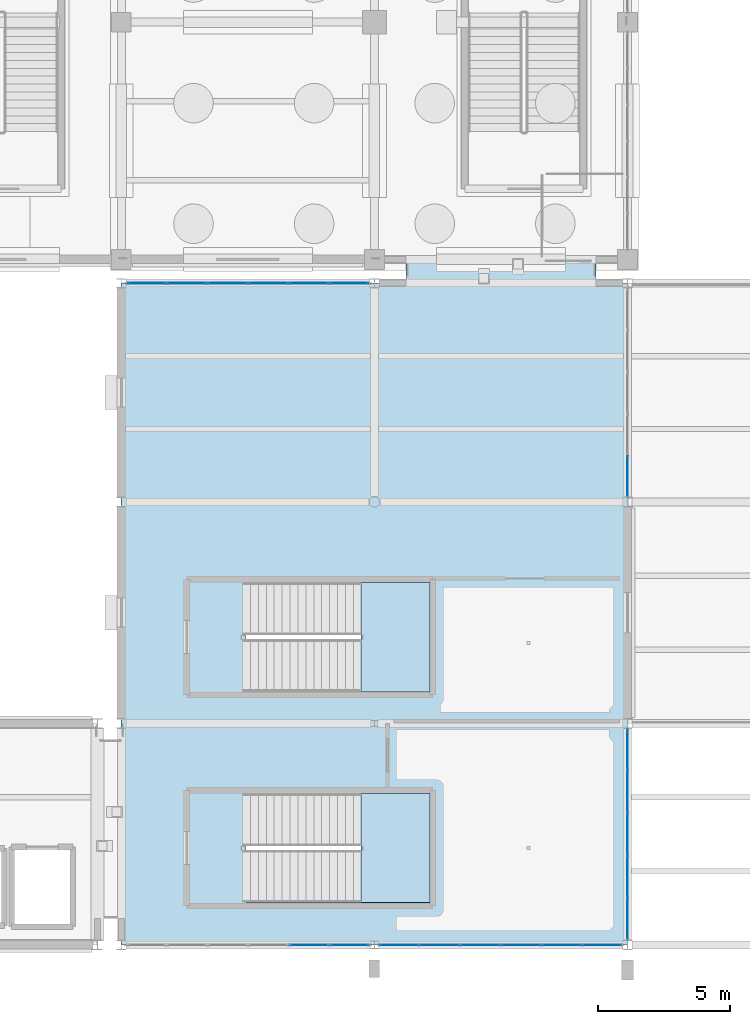
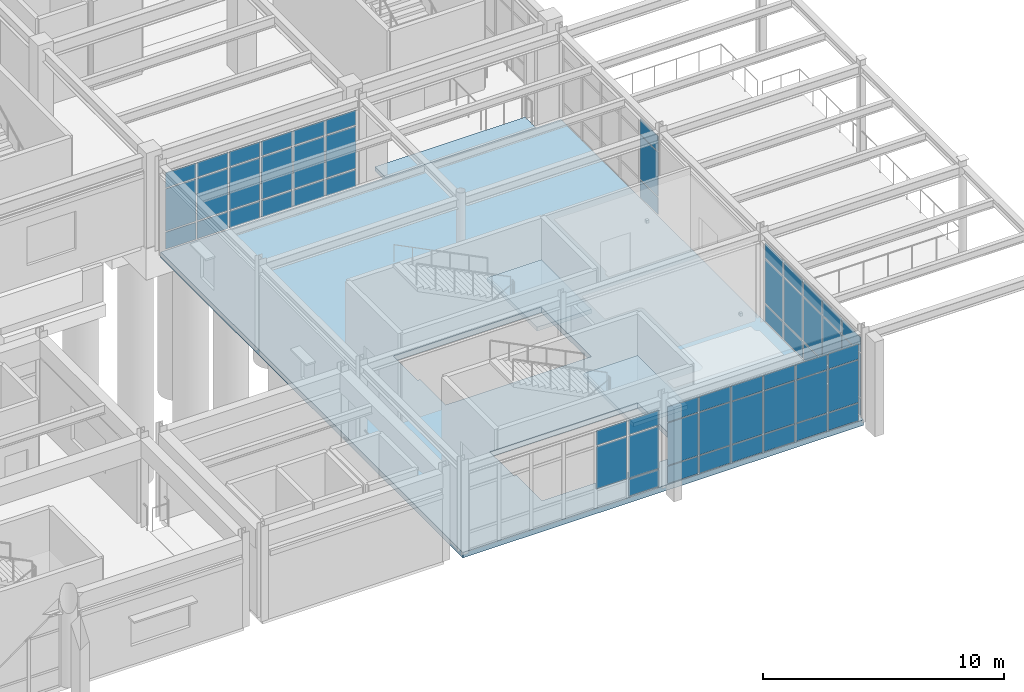
# One storey, part 93 of 139: 59 plates, 4 slabs, 7 elements without a shape of their own.
"""IFC4 building model written with IfcOpenShell, lengths in metres."""

from ifc_helpers import new_model, si_unit, direction, frame, origin, origin_2d, place, context, subcontext, project, spatial, polyline, rectangle, outline, extrude, material, layer, layer_set, type_object, element, aggregate, save


model = new_model("IFC4")

# Units and contexts
model_context = context("Model", 3, precision=1e-05, world=origin(), true_north=direction((0.0, 1.0)))
body_context = subcontext(model_context, "Body", "Model", "MODEL_VIEW")
ifc_project = project(units=[si_unit("LENGTHUNIT", "METRE"), si_unit("AREAUNIT", "SQUARE_METRE"), si_unit("VOLUMEUNIT", "CUBIC_METRE"), si_unit("PLANEANGLEUNIT", "RADIAN"), si_unit("MASSUNIT", "GRAM", prefix="KILO")], contexts=[model_context])

# Site, building, storey
site_placement = place(None, origin())
site = spatial("IfcSite", under=ifc_project, at=site_placement, CompositionType="ELEMENT")
building_placement = place(site_placement, origin())
building = spatial("IfcBuilding", under=site, at=building_placement, Name="Canglan Escarpment Cableway Terminal", CompositionType="ELEMENT")
storey_placement = place(building_placement, frame((0.0, 0.0, 14.39990234375)))
storey = spatial("IfcBuildingStorey", under=building, at=storey_placement, Name="L03", CompositionType="ELEMENT", Elevation=14.39990234375)

# Curtain wall, plates
ifc_material_1 = material(Name="Anodized bronze aluminium and Low-E double glazing", Category="aluminium")
curtain_wall_type_1 = type_object("IfcCurtainWallType", Name="CW-BAY-9275x4000", PredefinedType="NOTDEFINED", material=ifc_material_1)
curtain_wall_1_placement = place(storey_placement, origin())
curtain_wall_1 = element("IfcCurtainWall", 1, at=curtain_wall_1_placement, inside=storey, type_object=curtain_wall_type_1, Name="Classical bay-between-piers glazed curtain wall CW-29", PredefinedType="NOTDEFINED")
ifc_material_2 = material(Name="Double-silver Low-E laminated insulating glass", Category="glass")
ifc_layer_1 = layer(ifc_material_2, 0.02392578125, Name="Double-silver Low-E laminated insulating glass")
ifc_layer_set_1 = layer_set([ifc_layer_1], Name="Double-silver Low-E laminated insulating glass")
plate_type_1 = type_object("IfcPlateType", Name="CWP-01", PredefinedType="CURTAIN_PANEL", material=ifc_layer_set_1)
plate_1_placement = place(storey_placement, frame((154.331298828125, 8.0, 0.982421875), z_axis=(0.0, 0.0, 1.0), x_axis=(1.0, 0.0, 0.0)))
plate_1 = element("IfcPlate", 2, at=plate_1_placement, type_object=plate_type_1, Name="CW-29 panel 5.2", PredefinedType="CURTAIN_PANEL", context=body_context, shape_type="SweptSolid", body=[
    extrude(rectangle(XDim=1.480712890625, YDim=0.02392578125, at=origin_2d()), origin(), (0.0, 0.0, 1.0), 2.132080078125),
])
plate_2_placement = place(storey_placement, frame((154.331298828125, 8.0, 3.1796875), z_axis=(0.0, 0.0, 1.0), x_axis=(1.0, 0.0, 0.0)))
plate_2 = element("IfcPlate", 3, at=plate_2_placement, type_object=plate_type_1, Name="CW-29 panel 5.3", PredefinedType="CURTAIN_PANEL", context=body_context, shape_type="SweptSolid", body=[
    extrude(rectangle(XDim=1.480712890625, YDim=0.02392578125, at=origin_2d()), origin(), (0.0, 0.0, 1.0), 0.75244140625),
])
plate_3_placement = place(storey_placement, frame((155.86083984375, 8.0, 0.065185546875), z_axis=(0.0, 0.0, 1.0), x_axis=(1.0, 0.0, 0.0)))
plate_3 = element("IfcPlate", 4, at=plate_3_placement, type_object=plate_type_1, Name="CW-29 panel 6.1", PredefinedType="CURTAIN_PANEL", context=body_context, shape_type="SweptSolid", body=[
    extrude(rectangle(XDim=1.4482421875, YDim=0.02392578125, at=origin_2d()), origin(), (0.0, 0.0, 1.0), 0.8525390625),
])
plate_4_placement = place(storey_placement, frame((155.86083984375, 8.0, 0.982421875), z_axis=(0.0, 0.0, 1.0), x_axis=(1.0, 0.0, 0.0)))
plate_4 = element("IfcPlate", 5, at=plate_4_placement, type_object=plate_type_1, Name="CW-29 panel 6.2", PredefinedType="CURTAIN_PANEL", context=body_context, shape_type="SweptSolid", body=[
    extrude(rectangle(XDim=1.4482421875, YDim=0.02392578125, at=origin_2d()), origin(), (0.0, 0.0, 1.0), 2.132080078125),
])
plate_5_placement = place(storey_placement, frame((155.86083984375, 8.0, 3.1796875), z_axis=(0.0, 0.0, 1.0), x_axis=(1.0, 0.0, 0.0)))
plate_5 = element("IfcPlate", 6, at=plate_5_placement, type_object=plate_type_1, Name="CW-29 panel 6.3", PredefinedType="CURTAIN_PANEL", context=body_context, shape_type="SweptSolid", body=[
    extrude(rectangle(XDim=1.4482421875, YDim=0.02392578125, at=origin_2d()), origin(), (0.0, 0.0, 1.0), 0.75244140625),
])
aggregate(curtain_wall_1, [plate_1, plate_2, plate_3, plate_4, plate_5])

curtain_wall_type_2 = type_object("IfcCurtainWallType", Name="CW-BAY-8050x4100", PredefinedType="NOTDEFINED", material=ifc_material_1)
curtain_wall_2_placement = place(storey_placement, origin())
curtain_wall_2 = element("IfcCurtainWall", 7, at=curtain_wall_2_placement, inside=storey, type_object=curtain_wall_type_2, Name="Classical bay-between-piers glazed curtain wall CW-30", PredefinedType="NOTDEFINED")
plate_6_placement = place(storey_placement, frame((166.39990234375, 8.996337890625, 0.065185546875), z_axis=(0.0, 0.0, 1.0), x_axis=(0.0, 1.0, 0.0)))
plate_6 = element("IfcPlate", 8, at=plate_6_placement, type_object=plate_type_1, Name="CW-30 panel 1.1", PredefinedType="CURTAIN_PANEL", context=body_context, shape_type="SweptSolid", body=[
    extrude(rectangle(XDim=1.512451171875, YDim=0.02392578125, at=origin_2d()), origin(), (0.0, 0.0, 1.0), 0.8525390625),
])
plate_7_placement = place(storey_placement, frame((166.39990234375, 8.996337890625, 0.982666015625), z_axis=(0.0, 0.0, 1.0), x_axis=(0.0, 1.0, 0.0)))
plate_7 = element("IfcPlate", 9, at=plate_7_placement, type_object=plate_type_1, Name="CW-30 panel 1.2", PredefinedType="CURTAIN_PANEL", context=body_context, shape_type="SweptSolid", body=[
    extrude(rectangle(XDim=1.512451171875, YDim=0.02392578125, at=origin_2d()), origin(), (0.0, 0.0, 1.0), 2.22998046875),
])
plate_8_placement = place(storey_placement, frame((166.39990234375, 8.996337890625, 3.277587890625), z_axis=(0.0, 0.0, 1.0), x_axis=(0.0, 1.0, 0.0)))
plate_8 = element("IfcPlate", 10, at=plate_8_placement, type_object=plate_type_1, Name="CW-30 panel 1.3", PredefinedType="CURTAIN_PANEL", context=body_context, shape_type="SweptSolid", body=[
    extrude(rectangle(XDim=1.512451171875, YDim=0.02392578125, at=origin_2d()), origin(), (0.0, 0.0, 1.0), 0.75244140625),
])
plate_9_placement = place(storey_placement, frame((166.39990234375, 10.590087890625, 0.065185546875), z_axis=(0.0, 0.0, 1.0), x_axis=(0.0, 1.0, 0.0)))
plate_9 = element("IfcPlate", 11, at=plate_9_placement, type_object=plate_type_1, Name="CW-30 panel 2.1", PredefinedType="CURTAIN_PANEL", context=body_context, shape_type="SweptSolid", body=[
    extrude(rectangle(XDim=1.544921875, YDim=0.02392578125, at=origin_2d()), origin(), (0.0, 0.0, 1.0), 0.8525390625),
])
plate_10_placement = place(storey_placement, frame((166.39990234375, 10.590087890625, 0.982666015625), z_axis=(0.0, 0.0, 1.0), x_axis=(0.0, 1.0, 0.0)))
plate_10 = element("IfcPlate", 12, at=plate_10_placement, type_object=plate_type_1, Name="CW-30 panel 2.2", PredefinedType="CURTAIN_PANEL", context=body_context, shape_type="SweptSolid", body=[
    extrude(rectangle(XDim=1.544921875, YDim=0.02392578125, at=origin_2d()), origin(), (0.0, 0.0, 1.0), 2.22998046875),
])
plate_11_placement = place(storey_placement, frame((166.39990234375, 10.590087890625, 3.277587890625), z_axis=(0.0, 0.0, 1.0), x_axis=(0.0, 1.0, 0.0)))
plate_11 = element("IfcPlate", 13, at=plate_11_placement, type_object=plate_type_1, Name="CW-30 panel 2.3", PredefinedType="CURTAIN_PANEL", context=body_context, shape_type="SweptSolid", body=[
    extrude(rectangle(XDim=1.544921875, YDim=0.02392578125, at=origin_2d()), origin(), (0.0, 0.0, 1.0), 0.75244140625),
])
plate_12_placement = place(storey_placement, frame((166.39990234375, 12.199951171875, 0.065185546875), z_axis=(0.0, 0.0, 1.0), x_axis=(0.0, 1.0, 0.0)))
plate_12 = element("IfcPlate", 14, at=plate_12_placement, type_object=plate_type_1, Name="CW-30 panel 3.1", PredefinedType="CURTAIN_PANEL", context=body_context, shape_type="SweptSolid", body=[
    extrude(rectangle(XDim=1.544921875, YDim=0.02392578125, at=origin_2d()), origin(), (0.0, 0.0, 1.0), 0.8525390625),
])
plate_13_placement = place(storey_placement, frame((166.39990234375, 12.199951171875, 0.982666015625), z_axis=(0.0, 0.0, 1.0), x_axis=(0.0, 1.0, 0.0)))
plate_13 = element("IfcPlate", 15, at=plate_13_placement, type_object=plate_type_1, Name="CW-30 panel 3.2", PredefinedType="CURTAIN_PANEL", context=body_context, shape_type="SweptSolid", body=[
    extrude(rectangle(XDim=1.544921875, YDim=0.02392578125, at=origin_2d()), origin(), (0.0, 0.0, 1.0), 2.22998046875),
])
plate_14_placement = place(storey_placement, frame((166.39990234375, 12.199951171875, 3.277587890625), z_axis=(0.0, 0.0, 1.0), x_axis=(0.0, 1.0, 0.0)))
plate_14 = element("IfcPlate", 16, at=plate_14_placement, type_object=plate_type_1, Name="CW-30 panel 3.3", PredefinedType="CURTAIN_PANEL", context=body_context, shape_type="SweptSolid", body=[
    extrude(rectangle(XDim=1.544921875, YDim=0.02392578125, at=origin_2d()), origin(), (0.0, 0.0, 1.0), 0.75244140625),
])
plate_15_placement = place(storey_placement, frame((166.39990234375, 13.81005859375, 0.065185546875), z_axis=(0.0, 0.0, 1.0), x_axis=(0.0, 1.0, 0.0)))
plate_15 = element("IfcPlate", 17, at=plate_15_placement, type_object=plate_type_1, Name="CW-30 panel 4.1", PredefinedType="CURTAIN_PANEL", context=body_context, shape_type="SweptSolid", body=[
    extrude(rectangle(XDim=1.544921875, YDim=0.02392578125, at=origin_2d()), origin(), (0.0, 0.0, 1.0), 0.8525390625),
])
plate_16_placement = place(storey_placement, frame((166.39990234375, 13.81005859375, 0.982666015625), z_axis=(0.0, 0.0, 1.0), x_axis=(0.0, 1.0, 0.0)))
plate_16 = element("IfcPlate", 18, at=plate_16_placement, type_object=plate_type_1, Name="CW-30 panel 4.2", PredefinedType="CURTAIN_PANEL", context=body_context, shape_type="SweptSolid", body=[
    extrude(rectangle(XDim=1.544921875, YDim=0.02392578125, at=origin_2d()), origin(), (0.0, 0.0, 1.0), 2.22998046875),
])
plate_17_placement = place(storey_placement, frame((166.39990234375, 13.81005859375, 3.277587890625), z_axis=(0.0, 0.0, 1.0), x_axis=(0.0, 1.0, 0.0)))
plate_17 = element("IfcPlate", 19, at=plate_17_placement, type_object=plate_type_1, Name="CW-30 panel 4.3", PredefinedType="CURTAIN_PANEL", context=body_context, shape_type="SweptSolid", body=[
    extrude(rectangle(XDim=1.544921875, YDim=0.02392578125, at=origin_2d()), origin(), (0.0, 0.0, 1.0), 0.75244140625),
])
plate_18_placement = place(storey_placement, frame((166.39990234375, 15.40380859375, 0.065185546875), z_axis=(0.0, 0.0, 1.0), x_axis=(0.0, 1.0, 0.0)))
plate_18 = element("IfcPlate", 20, at=plate_18_placement, type_object=plate_type_1, Name="CW-30 panel 5.1", PredefinedType="CURTAIN_PANEL", context=body_context, shape_type="SweptSolid", body=[
    extrude(rectangle(XDim=1.512451171875, YDim=0.02392578125, at=origin_2d()), origin(), (0.0, 0.0, 1.0), 0.8525390625),
])
plate_19_placement = place(storey_placement, frame((166.39990234375, 15.40380859375, 0.982666015625), z_axis=(0.0, 0.0, 1.0), x_axis=(0.0, 1.0, 0.0)))
plate_19 = element("IfcPlate", 21, at=plate_19_placement, type_object=plate_type_1, Name="CW-30 panel 5.2", PredefinedType="CURTAIN_PANEL", context=body_context, shape_type="SweptSolid", body=[
    extrude(rectangle(XDim=1.512451171875, YDim=0.02392578125, at=origin_2d()), origin(), (0.0, 0.0, 1.0), 2.22998046875),
])
plate_20_placement = place(storey_placement, frame((166.39990234375, 15.40380859375, 3.277587890625), z_axis=(0.0, 0.0, 1.0), x_axis=(0.0, 1.0, 0.0)))
plate_20 = element("IfcPlate", 22, at=plate_20_placement, type_object=plate_type_1, Name="CW-30 panel 5.3", PredefinedType="CURTAIN_PANEL", context=body_context, shape_type="SweptSolid", body=[
    extrude(rectangle(XDim=1.512451171875, YDim=0.02392578125, at=origin_2d()), origin(), (0.0, 0.0, 1.0), 0.75244140625),
])
aggregate(curtain_wall_2, [plate_6, plate_7, plate_8, plate_9, plate_10, plate_11, plate_12, plate_13, plate_14, plate_15, plate_16, plate_17, plate_18, plate_19, plate_20])

curtain_wall_type_3 = type_object("IfcCurtainWallType", Name="CW-BAY-9250x4000", PredefinedType="NOTDEFINED", material=ifc_material_1)
curtain_wall_3_placement = place(storey_placement, origin())
curtain_wall_3 = element("IfcCurtainWall", 23, at=curtain_wall_3_placement, inside=storey, type_object=curtain_wall_type_3, Name="Classical bay-between-piers glazed curtain wall CW-32", PredefinedType="NOTDEFINED")
plate_21_placement = place(storey_placement, frame((155.837890625, 33.10009765625, 0.065185546875), z_axis=(0.0, 0.0, 1.0), x_axis=(-1.0, 0.0, 0.0)))
plate_21 = element("IfcPlate", 24, at=plate_21_placement, type_object=plate_type_1, Name="CW-32 panel 1.1", PredefinedType="CURTAIN_PANEL", context=body_context, shape_type="SweptSolid", body=[
    extrude(rectangle(XDim=1.444091796875, YDim=0.02392578125, at=origin_2d()), origin(), (0.0, 0.0, 1.0), 0.8525390625),
])
plate_22_placement = place(storey_placement, frame((155.837890625, 33.10009765625, 0.982421875), z_axis=(0.0, 0.0, 1.0), x_axis=(-1.0, 0.0, 0.0)))
plate_22 = element("IfcPlate", 25, at=plate_22_placement, type_object=plate_type_1, Name="CW-32 panel 1.2", PredefinedType="CURTAIN_PANEL", context=body_context, shape_type="SweptSolid", body=[
    extrude(rectangle(XDim=1.444091796875, YDim=0.02392578125, at=origin_2d()), origin(), (0.0, 0.0, 1.0), 2.132080078125),
])
plate_23_placement = place(storey_placement, frame((155.837890625, 33.10009765625, 3.1796875), z_axis=(0.0, 0.0, 1.0), x_axis=(-1.0, 0.0, 0.0)))
plate_23 = element("IfcPlate", 26, at=plate_23_placement, type_object=plate_type_1, Name="CW-32 panel 1.3", PredefinedType="CURTAIN_PANEL", context=body_context, shape_type="SweptSolid", body=[
    extrude(rectangle(XDim=1.444091796875, YDim=0.02392578125, at=origin_2d()), origin(), (0.0, 0.0, 1.0), 0.75244140625),
])
plate_24_placement = place(storey_placement, frame((154.3125, 33.10009765625, 0.065185546875), z_axis=(0.0, 0.0, 1.0), x_axis=(-1.0, 0.0, 0.0)))
plate_24 = element("IfcPlate", 27, at=plate_24_placement, type_object=plate_type_1, Name="CW-32 panel 2.1", PredefinedType="CURTAIN_PANEL", context=body_context, shape_type="SweptSolid", body=[
    extrude(rectangle(XDim=1.4765625, YDim=0.02392578125, at=origin_2d()), origin(), (0.0, 0.0, 1.0), 0.8525390625),
])
plate_25_placement = place(storey_placement, frame((154.3125, 33.10009765625, 0.982421875), z_axis=(0.0, 0.0, 1.0), x_axis=(-1.0, 0.0, 0.0)))
plate_25 = element("IfcPlate", 28, at=plate_25_placement, type_object=plate_type_1, Name="CW-32 panel 2.2", PredefinedType="CURTAIN_PANEL", context=body_context, shape_type="SweptSolid", body=[
    extrude(rectangle(XDim=1.4765625, YDim=0.02392578125, at=origin_2d()), origin(), (0.0, 0.0, 1.0), 2.132080078125),
])
plate_26_placement = place(storey_placement, frame((154.3125, 33.10009765625, 3.1796875), z_axis=(0.0, 0.0, 1.0), x_axis=(-1.0, 0.0, 0.0)))
plate_26 = element("IfcPlate", 29, at=plate_26_placement, type_object=plate_type_1, Name="CW-32 panel 2.3", PredefinedType="CURTAIN_PANEL", context=body_context, shape_type="SweptSolid", body=[
    extrude(rectangle(XDim=1.4765625, YDim=0.02392578125, at=origin_2d()), origin(), (0.0, 0.0, 1.0), 0.75244140625),
])
plate_27_placement = place(storey_placement, frame((152.770751953125, 33.10009765625, 0.065185546875), z_axis=(0.0, 0.0, 1.0), x_axis=(-1.0, 0.0, 0.0)))
plate_27 = element("IfcPlate", 30, at=plate_27_placement, type_object=plate_type_1, Name="CW-32 panel 3.1", PredefinedType="CURTAIN_PANEL", context=body_context, shape_type="SweptSolid", body=[
    extrude(rectangle(XDim=1.4765625, YDim=0.02392578125, at=origin_2d()), origin(), (0.0, 0.0, 1.0), 0.8525390625),
])
plate_28_placement = place(storey_placement, frame((152.770751953125, 33.10009765625, 0.982421875), z_axis=(0.0, 0.0, 1.0), x_axis=(-1.0, 0.0, 0.0)))
plate_28 = element("IfcPlate", 31, at=plate_28_placement, type_object=plate_type_1, Name="CW-32 panel 3.2", PredefinedType="CURTAIN_PANEL", context=body_context, shape_type="SweptSolid", body=[
    extrude(rectangle(XDim=1.4765625, YDim=0.02392578125, at=origin_2d()), origin(), (0.0, 0.0, 1.0), 2.132080078125),
])
plate_29_placement = place(storey_placement, frame((152.770751953125, 33.10009765625, 3.1796875), z_axis=(0.0, 0.0, 1.0), x_axis=(-1.0, 0.0, 0.0)))
plate_29 = element("IfcPlate", 32, at=plate_29_placement, type_object=plate_type_1, Name="CW-32 panel 3.3", PredefinedType="CURTAIN_PANEL", context=body_context, shape_type="SweptSolid", body=[
    extrude(rectangle(XDim=1.4765625, YDim=0.02392578125, at=origin_2d()), origin(), (0.0, 0.0, 1.0), 0.75244140625),
])
plate_30_placement = place(storey_placement, frame((151.229248046875, 33.10009765625, 0.065185546875), z_axis=(0.0, 0.0, 1.0), x_axis=(-1.0, 0.0, 0.0)))
plate_30 = element("IfcPlate", 33, at=plate_30_placement, type_object=plate_type_1, Name="CW-32 panel 4.1", PredefinedType="CURTAIN_PANEL", context=body_context, shape_type="SweptSolid", body=[
    extrude(rectangle(XDim=1.4765625, YDim=0.02392578125, at=origin_2d()), origin(), (0.0, 0.0, 1.0), 0.8525390625),
])
plate_31_placement = place(storey_placement, frame((151.229248046875, 33.10009765625, 0.982421875), z_axis=(0.0, 0.0, 1.0), x_axis=(-1.0, 0.0, 0.0)))
plate_31 = element("IfcPlate", 34, at=plate_31_placement, type_object=plate_type_1, Name="CW-32 panel 4.2", PredefinedType="CURTAIN_PANEL", context=body_context, shape_type="SweptSolid", body=[
    extrude(rectangle(XDim=1.4765625, YDim=0.02392578125, at=origin_2d()), origin(), (0.0, 0.0, 1.0), 2.132080078125),
])
plate_32_placement = place(storey_placement, frame((151.229248046875, 33.10009765625, 3.1796875), z_axis=(0.0, 0.0, 1.0), x_axis=(-1.0, 0.0, 0.0)))
plate_32 = element("IfcPlate", 35, at=plate_32_placement, type_object=plate_type_1, Name="CW-32 panel 4.3", PredefinedType="CURTAIN_PANEL", context=body_context, shape_type="SweptSolid", body=[
    extrude(rectangle(XDim=1.4765625, YDim=0.02392578125, at=origin_2d()), origin(), (0.0, 0.0, 1.0), 0.75244140625),
])
plate_33_placement = place(storey_placement, frame((149.6875, 33.10009765625, 0.065185546875), z_axis=(0.0, 0.0, 1.0), x_axis=(-1.0, 0.0, 0.0)))
plate_33 = element("IfcPlate", 36, at=plate_33_placement, type_object=plate_type_1, Name="CW-32 panel 5.1", PredefinedType="CURTAIN_PANEL", context=body_context, shape_type="SweptSolid", body=[
    extrude(rectangle(XDim=1.4765625, YDim=0.02392578125, at=origin_2d()), origin(), (0.0, 0.0, 1.0), 0.8525390625),
])
plate_34_placement = place(storey_placement, frame((149.6875, 33.10009765625, 0.982421875), z_axis=(0.0, 0.0, 1.0), x_axis=(-1.0, 0.0, 0.0)))
plate_34 = element("IfcPlate", 37, at=plate_34_placement, type_object=plate_type_1, Name="CW-32 panel 5.2", PredefinedType="CURTAIN_PANEL", context=body_context, shape_type="SweptSolid", body=[
    extrude(rectangle(XDim=1.4765625, YDim=0.02392578125, at=origin_2d()), origin(), (0.0, 0.0, 1.0), 2.132080078125),
])
plate_35_placement = place(storey_placement, frame((149.6875, 33.10009765625, 3.1796875), z_axis=(0.0, 0.0, 1.0), x_axis=(-1.0, 0.0, 0.0)))
plate_35 = element("IfcPlate", 38, at=plate_35_placement, type_object=plate_type_1, Name="CW-32 panel 5.3", PredefinedType="CURTAIN_PANEL", context=body_context, shape_type="SweptSolid", body=[
    extrude(rectangle(XDim=1.4765625, YDim=0.02392578125, at=origin_2d()), origin(), (0.0, 0.0, 1.0), 0.75244140625),
])
plate_36_placement = place(storey_placement, frame((148.162109375, 33.10009765625, 0.065185546875), z_axis=(0.0, 0.0, 1.0), x_axis=(-1.0, 0.0, 0.0)))
plate_36 = element("IfcPlate", 39, at=plate_36_placement, type_object=plate_type_1, Name="CW-32 panel 6.1", PredefinedType="CURTAIN_PANEL", context=body_context, shape_type="SweptSolid", body=[
    extrude(rectangle(XDim=1.444091796875, YDim=0.02392578125, at=origin_2d()), origin(), (0.0, 0.0, 1.0), 0.8525390625),
])
plate_37_placement = place(storey_placement, frame((148.162109375, 33.10009765625, 0.982421875), z_axis=(0.0, 0.0, 1.0), x_axis=(-1.0, 0.0, 0.0)))
plate_37 = element("IfcPlate", 40, at=plate_37_placement, type_object=plate_type_1, Name="CW-32 panel 6.2", PredefinedType="CURTAIN_PANEL", context=body_context, shape_type="SweptSolid", body=[
    extrude(rectangle(XDim=1.444091796875, YDim=0.02392578125, at=origin_2d()), origin(), (0.0, 0.0, 1.0), 2.132080078125),
])
plate_38_placement = place(storey_placement, frame((148.162109375, 33.10009765625, 3.1796875), z_axis=(0.0, 0.0, 1.0), x_axis=(-1.0, 0.0, 0.0)))
plate_38 = element("IfcPlate", 41, at=plate_38_placement, type_object=plate_type_1, Name="CW-32 panel 6.3", PredefinedType="CURTAIN_PANEL", context=body_context, shape_type="SweptSolid", body=[
    extrude(rectangle(XDim=1.444091796875, YDim=0.02392578125, at=origin_2d()), origin(), (0.0, 0.0, 1.0), 0.75244140625),
])
aggregate(curtain_wall_3, [plate_21, plate_22, plate_23, plate_24, plate_25, plate_26, plate_27, plate_28, plate_29, plate_30, plate_31, plate_32, plate_33, plate_34, plate_35, plate_36, plate_37, plate_38])

curtain_wall_4_placement = place(storey_placement, origin())
curtain_wall_4 = element("IfcCurtainWall", 42, at=curtain_wall_4_placement, inside=storey, type_object=curtain_wall_type_1, Name="Classical bay-between-piers glazed curtain wall CW-29", PredefinedType="NOTDEFINED")
ifc_layer_2 = layer(ifc_material_2, 0.028076171875, Name="Double-silver Low-E laminated insulating glass")
ifc_layer_set_2 = layer_set([ifc_layer_2], Name="Double-silver Low-E laminated insulating glass")
plate_type_2 = type_object("IfcPlateType", Name="CWP-02", PredefinedType="CURTAIN_PANEL", material=ifc_layer_set_2)
plate_39_placement = place(storey_placement, frame((157.738037109375, 8.0, 0.05517578125), z_axis=(0.0, 0.0, 1.0), x_axis=(1.0, 0.0, 0.0)))
plate_39 = element("IfcPlate", 43, at=plate_39_placement, type_object=plate_type_2, Name="CW-29 panel 1.1", PredefinedType="CURTAIN_PANEL", context=body_context, shape_type="SweptSolid", body=[
    extrude(rectangle(XDim=1.455810546875, YDim=0.028076171875, at=origin_2d()), origin(), (0.0, 0.0, 1.0), 0.867431640625),
])
plate_40_placement = place(storey_placement, frame((157.738037109375, 8.0, 0.9775390625), z_axis=(0.0, 0.0, 1.0), x_axis=(1.0, 0.0, 0.0)))
plate_40 = element("IfcPlate", 44, at=plate_40_placement, type_object=plate_type_2, Name="CW-29 panel 1.2", PredefinedType="CURTAIN_PANEL", context=body_context, shape_type="SweptSolid", body=[
    extrude(rectangle(XDim=1.455810546875, YDim=0.028076171875, at=origin_2d()), origin(), (0.0, 0.0, 1.0), 2.14208984375),
])
plate_41_placement = place(storey_placement, frame((157.738037109375, 8.0, 3.174560546875), z_axis=(0.0, 0.0, 1.0), x_axis=(1.0, 0.0, 0.0)))
plate_41 = element("IfcPlate", 45, at=plate_41_placement, type_object=plate_type_2, Name="CW-29 panel 1.3", PredefinedType="CURTAIN_PANEL", context=body_context, shape_type="SweptSolid", body=[
    extrude(rectangle(XDim=1.455810546875, YDim=0.028076171875, at=origin_2d()), origin(), (0.0, 0.0, 1.0), 0.767578125),
])
plate_42_placement = place(storey_placement, frame((159.268798828125, 8.0, 0.05517578125), z_axis=(0.0, 0.0, 1.0), x_axis=(1.0, 0.0, 0.0)))
plate_42 = element("IfcPlate", 46, at=plate_42_placement, type_object=plate_type_2, Name="CW-29 panel 2.1", PredefinedType="CURTAIN_PANEL", context=body_context, shape_type="SweptSolid", body=[
    extrude(rectangle(XDim=1.48583984375, YDim=0.028076171875, at=origin_2d()), origin(), (0.0, 0.0, 1.0), 0.867431640625),
])
plate_43_placement = place(storey_placement, frame((159.268798828125, 8.0, 0.9775390625), z_axis=(0.0, 0.0, 1.0), x_axis=(1.0, 0.0, 0.0)))
plate_43 = element("IfcPlate", 47, at=plate_43_placement, type_object=plate_type_2, Name="CW-29 panel 2.2", PredefinedType="CURTAIN_PANEL", context=body_context, shape_type="SweptSolid", body=[
    extrude(rectangle(XDim=1.48583984375, YDim=0.028076171875, at=origin_2d()), origin(), (0.0, 0.0, 1.0), 2.14208984375),
])
plate_44_placement = place(storey_placement, frame((159.268798828125, 8.0, 3.174560546875), z_axis=(0.0, 0.0, 1.0), x_axis=(1.0, 0.0, 0.0)))
plate_44 = element("IfcPlate", 48, at=plate_44_placement, type_object=plate_type_2, Name="CW-29 panel 2.3", PredefinedType="CURTAIN_PANEL", context=body_context, shape_type="SweptSolid", body=[
    extrude(rectangle(XDim=1.48583984375, YDim=0.028076171875, at=origin_2d()), origin(), (0.0, 0.0, 1.0), 0.767578125),
])
plate_45_placement = place(storey_placement, frame((160.814697265625, 8.0, 0.05517578125), z_axis=(0.0, 0.0, 1.0), x_axis=(1.0, 0.0, 0.0)))
plate_45 = element("IfcPlate", 49, at=plate_45_placement, type_object=plate_type_2, Name="CW-29 panel 3.1", PredefinedType="CURTAIN_PANEL", context=body_context, shape_type="SweptSolid", body=[
    extrude(rectangle(XDim=1.48583984375, YDim=0.028076171875, at=origin_2d()), origin(), (0.0, 0.0, 1.0), 0.867431640625),
])
plate_46_placement = place(storey_placement, frame((160.814697265625, 8.0, 0.9775390625), z_axis=(0.0, 0.0, 1.0), x_axis=(1.0, 0.0, 0.0)))
plate_46 = element("IfcPlate", 50, at=plate_46_placement, type_object=plate_type_2, Name="CW-29 panel 3.2", PredefinedType="CURTAIN_PANEL", context=body_context, shape_type="SweptSolid", body=[
    extrude(rectangle(XDim=1.48583984375, YDim=0.028076171875, at=origin_2d()), origin(), (0.0, 0.0, 1.0), 2.14208984375),
])
plate_47_placement = place(storey_placement, frame((160.814697265625, 8.0, 3.174560546875), z_axis=(0.0, 0.0, 1.0), x_axis=(1.0, 0.0, 0.0)))
plate_47 = element("IfcPlate", 51, at=plate_47_placement, type_object=plate_type_2, Name="CW-29 panel 3.3", PredefinedType="CURTAIN_PANEL", context=body_context, shape_type="SweptSolid", body=[
    extrude(rectangle(XDim=1.48583984375, YDim=0.028076171875, at=origin_2d()), origin(), (0.0, 0.0, 1.0), 0.767578125),
])
plate_48_placement = place(storey_placement, frame((162.3603515625, 8.0, 0.05517578125), z_axis=(0.0, 0.0, 1.0), x_axis=(1.0, 0.0, 0.0)))
plate_48 = element("IfcPlate", 52, at=plate_48_placement, type_object=plate_type_2, Name="CW-29 panel 4.1", PredefinedType="CURTAIN_PANEL", context=body_context, shape_type="SweptSolid", body=[
    extrude(rectangle(XDim=1.48583984375, YDim=0.028076171875, at=origin_2d()), origin(), (0.0, 0.0, 1.0), 0.867431640625),
])
plate_49_placement = place(storey_placement, frame((162.3603515625, 8.0, 0.9775390625), z_axis=(0.0, 0.0, 1.0), x_axis=(1.0, 0.0, 0.0)))
plate_49 = element("IfcPlate", 53, at=plate_49_placement, type_object=plate_type_2, Name="CW-29 panel 4.2", PredefinedType="CURTAIN_PANEL", context=body_context, shape_type="SweptSolid", body=[
    extrude(rectangle(XDim=1.48583984375, YDim=0.028076171875, at=origin_2d()), origin(), (0.0, 0.0, 1.0), 2.14208984375),
])
plate_50_placement = place(storey_placement, frame((162.3603515625, 8.0, 3.174560546875), z_axis=(0.0, 0.0, 1.0), x_axis=(1.0, 0.0, 0.0)))
plate_50 = element("IfcPlate", 54, at=plate_50_placement, type_object=plate_type_2, Name="CW-29 panel 4.3", PredefinedType="CURTAIN_PANEL", context=body_context, shape_type="SweptSolid", body=[
    extrude(rectangle(XDim=1.48583984375, YDim=0.028076171875, at=origin_2d()), origin(), (0.0, 0.0, 1.0), 0.767578125),
])
plate_51_placement = place(storey_placement, frame((163.90625, 8.0, 0.05517578125), z_axis=(0.0, 0.0, 1.0), x_axis=(1.0, 0.0, 0.0)))
plate_51 = element("IfcPlate", 55, at=plate_51_placement, type_object=plate_type_2, Name="CW-29 panel 5.1", PredefinedType="CURTAIN_PANEL", context=body_context, shape_type="SweptSolid", body=[
    extrude(rectangle(XDim=1.48583984375, YDim=0.028076171875, at=origin_2d()), origin(), (0.0, 0.0, 1.0), 0.867431640625),
])
plate_52_placement = place(storey_placement, frame((163.90625, 8.0, 0.9775390625), z_axis=(0.0, 0.0, 1.0), x_axis=(1.0, 0.0, 0.0)))
plate_52 = element("IfcPlate", 56, at=plate_52_placement, type_object=plate_type_2, Name="CW-29 panel 5.2", PredefinedType="CURTAIN_PANEL", context=body_context, shape_type="SweptSolid", body=[
    extrude(rectangle(XDim=1.48583984375, YDim=0.028076171875, at=origin_2d()), origin(), (0.0, 0.0, 1.0), 2.14208984375),
])
plate_53_placement = place(storey_placement, frame((163.90625, 8.0, 3.174560546875), z_axis=(0.0, 0.0, 1.0), x_axis=(1.0, 0.0, 0.0)))
plate_53 = element("IfcPlate", 57, at=plate_53_placement, type_object=plate_type_2, Name="CW-29 panel 5.3", PredefinedType="CURTAIN_PANEL", context=body_context, shape_type="SweptSolid", body=[
    extrude(rectangle(XDim=1.48583984375, YDim=0.028076171875, at=origin_2d()), origin(), (0.0, 0.0, 1.0), 0.767578125),
])
plate_54_placement = place(storey_placement, frame((165.43701171875, 8.0, 0.05517578125), z_axis=(0.0, 0.0, 1.0), x_axis=(1.0, 0.0, 0.0)))
plate_54 = element("IfcPlate", 58, at=plate_54_placement, type_object=plate_type_2, Name="CW-29 panel 6.1", PredefinedType="CURTAIN_PANEL", context=body_context, shape_type="SweptSolid", body=[
    extrude(rectangle(XDim=1.455810546875, YDim=0.028076171875, at=origin_2d()), origin(), (0.0, 0.0, 1.0), 0.867431640625),
])
plate_55_placement = place(storey_placement, frame((165.43701171875, 8.0, 0.9775390625), z_axis=(0.0, 0.0, 1.0), x_axis=(1.0, 0.0, 0.0)))
plate_55 = element("IfcPlate", 59, at=plate_55_placement, type_object=plate_type_2, Name="CW-29 panel 6.2", PredefinedType="CURTAIN_PANEL", context=body_context, shape_type="SweptSolid", body=[
    extrude(rectangle(XDim=1.455810546875, YDim=0.028076171875, at=origin_2d()), origin(), (0.0, 0.0, 1.0), 2.14208984375),
])
plate_56_placement = place(storey_placement, frame((165.43701171875, 8.0, 3.174560546875), z_axis=(0.0, 0.0, 1.0), x_axis=(1.0, 0.0, 0.0)))
plate_56 = element("IfcPlate", 60, at=plate_56_placement, type_object=plate_type_2, Name="CW-29 panel 6.3", PredefinedType="CURTAIN_PANEL", context=body_context, shape_type="SweptSolid", body=[
    extrude(rectangle(XDim=1.455810546875, YDim=0.028076171875, at=origin_2d()), origin(), (0.0, 0.0, 1.0), 0.767578125),
])
aggregate(curtain_wall_4, [plate_39, plate_40, plate_41, plate_42, plate_43, plate_44, plate_45, plate_46, plate_47, plate_48, plate_49, plate_50, plate_51, plate_52, plate_53, plate_54, plate_55, plate_56])

curtain_wall_type_4 = type_object("IfcCurtainWallType", Name="CW-BAY-7950x4100", PredefinedType="NOTDEFINED", material=ifc_material_1)
curtain_wall_5_placement = place(storey_placement, origin())
curtain_wall_5 = element("IfcCurtainWall", 61, at=curtain_wall_5_placement, inside=storey, type_object=curtain_wall_type_4, Name="Classical bay-between-piers glazed curtain wall CW-31", PredefinedType="NOTDEFINED")
ifc_layer_3 = layer(ifc_material_2, 0.031982421875, Name="Double-silver Low-E laminated insulating glass")
ifc_layer_set_3 = layer_set([ifc_layer_3], Name="Double-silver Low-E laminated insulating glass")
plate_type_3 = type_object("IfcPlateType", Name="CWP-03", PredefinedType="CURTAIN_PANEL", material=ifc_layer_set_3)
plate_57_placement = place(storey_placement, frame((166.39990234375, 25.7861328125, 0.06005859375), z_axis=(0.0, 0.0, 1.0), x_axis=(0.0, 1.0, 0.0)))
plate_57 = element("IfcPlate", 62, at=plate_57_placement, type_object=plate_type_3, Name="CW-31 panel 1.1", PredefinedType="CURTAIN_PANEL", context=body_context, shape_type="SweptSolid", body=[
    extrude(rectangle(XDim=1.492431640625, YDim=0.031982421875, at=origin_2d()), origin(), (0.0, 0.0, 1.0), 0.860107421875),
])
plate_58_placement = place(storey_placement, frame((166.39990234375, 25.7861328125, 0.97998046875), z_axis=(0.0, 0.0, 1.0), x_axis=(0.0, 1.0, 0.0)))
plate_58 = element("IfcPlate", 63, at=plate_58_placement, type_object=plate_type_3, Name="CW-31 panel 1.2", PredefinedType="CURTAIN_PANEL", context=body_context, shape_type="SweptSolid", body=[
    extrude(rectangle(XDim=1.492431640625, YDim=0.031982421875, at=origin_2d()), origin(), (0.0, 0.0, 1.0), 2.235107421875),
])
plate_59_placement = place(storey_placement, frame((166.39990234375, 25.7861328125, 3.27490234375), z_axis=(0.0, 0.0, 1.0), x_axis=(0.0, 1.0, 0.0)))
plate_59 = element("IfcPlate", 64, at=plate_59_placement, type_object=plate_type_3, Name="CW-31 panel 1.3", PredefinedType="CURTAIN_PANEL", context=body_context, shape_type="SweptSolid", body=[
    extrude(rectangle(XDim=1.492431640625, YDim=0.031982421875, at=origin_2d()), origin(), (0.0, 0.0, 1.0), 0.760009765625),
])
aggregate(curtain_wall_5, [plate_57, plate_58, plate_59])

# Slabs
ifc_material_3 = material(Name="Concrete C40", Category="concrete")
ifc_layer_4 = layer(ifc_material_3, 0.280029296875, Name="Concrete C40")
ifc_layer_set_4 = layer_set([ifc_layer_4], Name="Concrete C40")
slab_type_1 = type_object("IfcSlabType", Name="SLB-FLR-280", PredefinedType="FLOOR", material=ifc_layer_set_4)
slab_1_placement = place(storey_placement, frame((0.0, 0.0, -0.27978515625)))
element("IfcSlab", 65, at=slab_1_placement, inside=storey, type_object=slab_type_1, Name="Suspended structural floor slab L03", PredefinedType="FLOOR", context=body_context, shape_type="SweptSolid", body=[
    extrude(outline(polyline([(147.199951171875, 8.0), (166.39990234375, 8.0), (166.39990234375, 33.10009765625), (147.199951171875, 33.10009765625), (147.199951171875, 8.0)]), holes=[polyline([(151.919921875, 9.60009765625), (151.919921875, 11.72998046875), (151.805908203125, 11.72998046875), (151.805908203125, 13.75), (158.89990234375, 13.75), (158.89990234375, 11.75), (158.89990234375, 11.72998046875), (158.89990234375, 9.60009765625), (151.919921875, 9.60009765625)]), polyline([(151.919921875, 17.60009765625), (151.919921875, 19.72998046875), (151.805908203125, 19.72998046875), (151.805908203125, 21.75), (158.89990234375, 21.75), (158.89990234375, 19.75), (158.89990234375, 19.72998046875), (158.89990234375, 17.60009765625), (151.919921875, 17.60009765625)])]), origin(), (0.0, 0.0, 1.0), 0.27978515625),
])
ifc_layer_5 = layer(ifc_material_3, 0.219970703125, Name="Concrete C40")
ifc_layer_set_5 = layer_set([ifc_layer_5], Name="Concrete C40")
slab_type_2 = type_object("IfcSlabType", Name="SLB-LINK-220", PredefinedType="FLOOR", material=ifc_layer_set_5)
slab_2_placement = place(storey_placement, frame((0.0, 0.0, -0.219970703125)))
element("IfcSlab", 66, at=slab_2_placement, inside=storey, type_object=slab_type_2, Name="Movement-joint concourse link slab MJ-S1", PredefinedType="FLOOR", context=body_context, shape_type="SweptSolid", body=[
    extrude(outline(polyline([(165.199951171875, 33.10498046875), (158.0, 33.10498046875), (158.0, 33.9951171875), (165.199951171875, 33.9951171875), (165.199951171875, 33.10498046875)])), origin(), (0.0, 0.0, 1.0), 0.219970703125),
])

# Stair, slab
stair_type = type_object("IfcStairType", Name="STR-DOGLEG-2000", PredefinedType="HALF_TURN_STAIR", material=ifc_material_3)
stair_1_placement = place(storey_placement, origin())
stair_1 = element("IfcStair", 67, at=stair_1_placement, inside=storey, type_object=stair_type, Name="L03 Protected Exit Stair ST-08", PredefinedType="HALF_TURN_STAIR")
ifc_layer_6 = layer(ifc_material_3, 0.199951171875, Name="Concrete C40")
ifc_layer_set_6 = layer_set([ifc_layer_6], Name="Concrete C40")
slab_type_3 = type_object("IfcSlabType", Name="SLB-STAIR-LAND-200", PredefinedType="LANDING", material=ifc_layer_set_6)
slab_3_placement = place(storey_placement, frame((0.0, 0.0, 2.2001953125)))
slab_3 = element("IfcSlab", 68, at=slab_3_placement, type_object=slab_type_3, Name="ST-08 landing 1", PredefinedType="LANDING", context=body_context, shape_type="SweptSolid", body=[
    extrude(outline(polyline([(156.300048828125, 9.60009765625), (158.89990234375, 9.60009765625), (158.89990234375, 13.75), (156.300048828125, 13.75), (156.300048828125, 9.60009765625)])), origin(), (0.0, 0.0, 1.0), 0.199951171875),
])
aggregate(stair_1, [slab_3])

stair_2_placement = place(storey_placement, origin())
stair_2 = element("IfcStair", 69, at=stair_2_placement, inside=storey, type_object=stair_type, Name="L03 Protected Exit Stair ST-09", PredefinedType="HALF_TURN_STAIR")
slab_4_placement = place(storey_placement, frame((0.0, 0.0, 2.2001953125)))
slab_4 = element("IfcSlab", 70, at=slab_4_placement, type_object=slab_type_3, Name="ST-09 landing 1", PredefinedType="LANDING", context=body_context, shape_type="SweptSolid", body=[
    extrude(outline(polyline([(156.300048828125, 17.60009765625), (158.89990234375, 17.60009765625), (158.89990234375, 21.75), (156.300048828125, 21.75), (156.300048828125, 17.60009765625)])), origin(), (0.0, 0.0, 1.0), 0.199951171875),
])
aggregate(stair_2, [slab_4])

save(model, "model.ifc")
